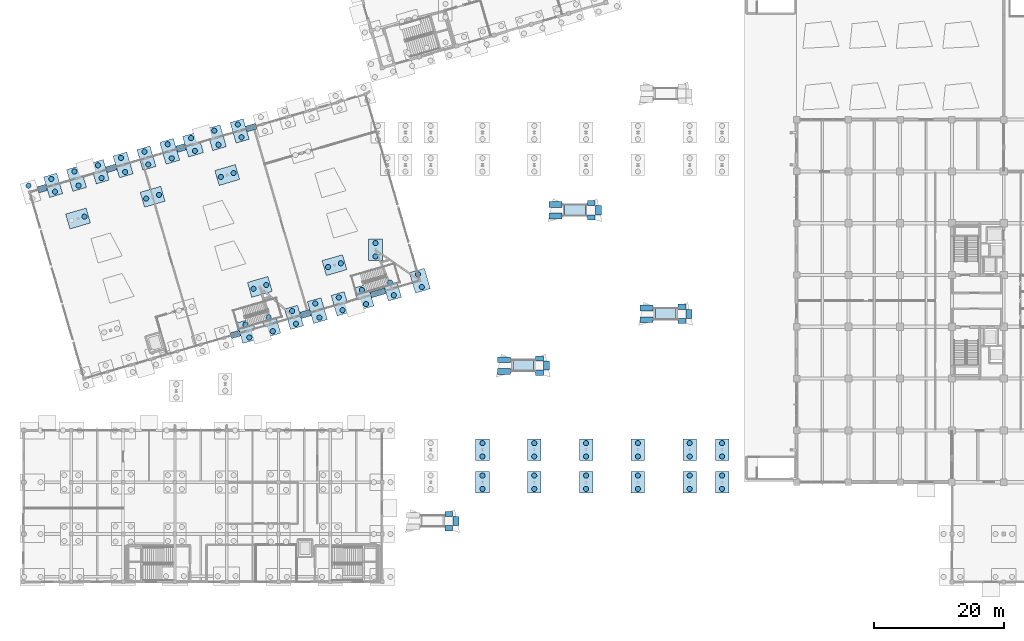
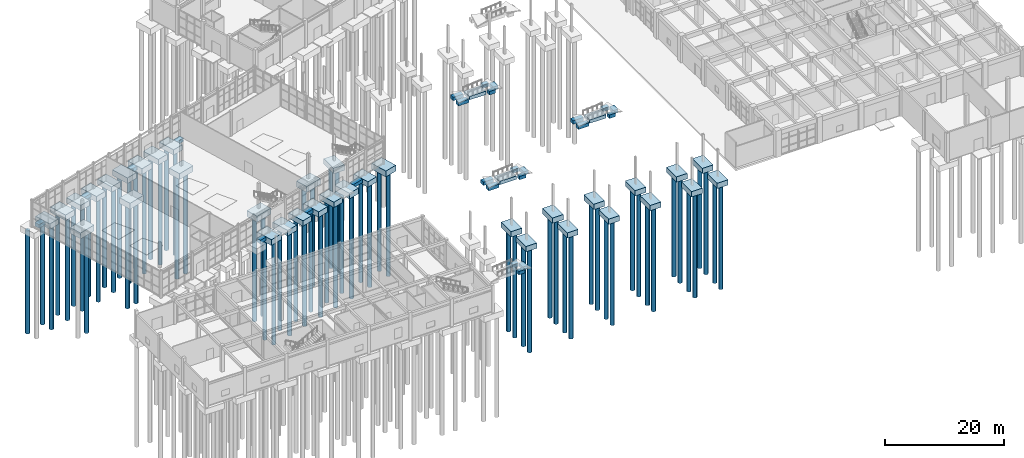
# One storey, part 2 of 90: 70 piles, 63 footings.
"""IFC4 building model written with IfcOpenShell, lengths in metres."""

from ifc_helpers import new_model, si_unit, direction, frame, origin, origin_2d, place, context, subcontext, project, spatial, rectangle, circle, extrude, material, material_profile, profile_set, type_object, element, save


model = new_model("IFC4")

# Units and contexts
model_context = context("Model", 3, precision=1e-05, world=origin(), true_north=direction((0.0, 1.0)))
body_context = subcontext(model_context, "Body", "Model", "MODEL_VIEW")
ifc_project = project(units=[si_unit("LENGTHUNIT", "METRE"), si_unit("AREAUNIT", "SQUARE_METRE"), si_unit("VOLUMEUNIT", "CUBIC_METRE"), si_unit("PLANEANGLEUNIT", "RADIAN"), si_unit("MASSUNIT", "GRAM", prefix="KILO")], contexts=[model_context])

# Site, building, storey
site_placement = place(None, origin())
site = spatial("IfcSite", under=ifc_project, at=site_placement, CompositionType="ELEMENT")
building_placement = place(site_placement, origin())
building = spatial("IfcBuilding", under=site, at=building_placement, Name="Canggui Botanical Conservatory", CompositionType="ELEMENT")
storey_placement = place(building_placement, origin())
storey = spatial("IfcBuildingStorey", under=building, at=storey_placement, Name="L01", CompositionType="ELEMENT", Elevation=0.0)

# Footings
ifc_material = material(Name="Concrete C35", Category="concrete")
footing_type_1 = type_object("IfcFootingType", Name="CAP-CT03", PredefinedType="PILE_CAP", material=ifc_material)
for number, where, z_axis, x_axis, name in (
    (1, (45.199951171875, 49.35009765625, -1.5), (0.0, 0.0, 1.0), (-0.279999921111, 0.960000023009, 0.0), "Multi-Pile Cap CT-040"),
    (2, (71.840087890625, 57.1201171875, -1.5), (0.0, 0.0, 1.0), (-0.279999921111, 0.960000023009, 0.0), "Multi-Pile Cap CT-047"),
    (3, (36.800048828125, 78.14990234375, -1.5), (0.0, 0.0, 1.0), (-0.279999921111, 0.960000023009, 0.0), "Multi-Pile Cap CT-055"),
    (4, (19.0400390625, 66.719970703125, -1.5), (0.0, 0.0, 1.0), (0.960000000041, 0.279999999861, 0.0), "Multi-Pile Cap CT-064"),
    (5, (30.56005859375, 70.080078125, -1.5), (0.0, 0.0, 1.0), (0.960000000041, 0.279999999861, 0.0), "Multi-Pile Cap CT-066"),
    (6, (47.1201171875, 56.159912109375, -1.5), (0.0, 0.0, 1.0), (0.960000000041, 0.279999999861, 0.0), "Multi-Pile Cap CT-067"),
    (7, (42.080078125, 73.43994140625, -1.5), (0.0, 0.0, 1.0), (0.960000000041, 0.279999999861, 0.0), "Multi-Pile Cap CT-068"),
    (8, (58.639892578125, 59.52001953125, -1.5), (0.0, 0.0, 1.0), (0.960000000041, 0.279999999861, 0.0), "Multi-Pile Cap CT-069"),
):
    element("IfcFooting", number, at=place(storey_placement, frame(where, z_axis=z_axis, x_axis=x_axis)), inside=storey, type_object=footing_type_1, Name=name, PredefinedType="PILE_CAP", context=body_context, shape_type="SweptSolid", body=[
        extrude(rectangle(XDim=3.300048828125, YDim=2.39990234375, at=origin_2d()), origin(), (0.0, 0.0, 1.0), 1.199951171875),
    ])
footing_type_2 = type_object("IfcFootingType", Name="CAP-CT05", PredefinedType="PILE_CAP", material=ifc_material)
for number, where, z_axis, x_axis, name in (
    (9, (48.800048828125, 50.39990234375, -1.449951171875), (0.0, 0.0, 1.0), (-0.279999921111, 0.960000023009, 0.0), "Multi-Pile Cap CT-041"),
    (10, (56.0, 52.5, -1.449951171875), (0.0, 0.0, 1.0), (-0.279999921111, 0.960000023009, 0.0), "Multi-Pile Cap CT-043"),
    (11, (63.199951171875, 54.60009765625, -1.449951171875), (0.0, 0.0, 1.0), (-0.279999921111, 0.960000023009, 0.0), "Multi-Pile Cap CT-045"),
    (12, (18.800048828125, 72.89990234375, -1.449951171875), (0.0, 0.0, 1.0), (-0.279999921111, 0.960000023009, 0.0), "Multi-Pile Cap CT-050"),
    (13, (26.0, 75.0, -1.449951171875), (0.0, 0.0, 1.0), (-0.279999921111, 0.960000023009, 0.0), "Multi-Pile Cap CT-052"),
    (14, (33.199951171875, 77.10009765625, -1.449951171875), (0.0, 0.0, 1.0), (-0.279999921111, 0.960000023009, 0.0), "Multi-Pile Cap CT-054"),
    (15, (40.39990234375, 79.199951171875, -1.449951171875), (0.0, 0.0, 1.0), (-0.279999921111, 0.960000023009, 0.0), "Multi-Pile Cap CT-056"),
):
    element("IfcFooting", number, at=place(storey_placement, frame(where, z_axis=z_axis, x_axis=x_axis)), inside=storey, type_object=footing_type_2, Name=name, PredefinedType="PILE_CAP", context=body_context, shape_type="SweptSolid", body=[
        extrude(rectangle(XDim=3.5, YDim=2.199951171875, at=origin_2d()), origin(), (0.0, 0.0, 1.0), 1.14990234375),
    ])
footing_type_3 = type_object("IfcFootingType", Name="CAP-CT06", PredefinedType="PILE_CAP", material=ifc_material)
for number, where, z_axis, x_axis, name in (
    (16, (52.39990234375, 51.449951171875, -1.400146484375), (0.0, 0.0, 1.0), (-0.279999921111, 0.960000023009, 0.0), "Multi-Pile Cap CT-042"),
    (17, (59.60009765625, 53.550048828125, -1.400146484375), (0.0, 0.0, 1.0), (-0.279999921111, 0.960000023009, 0.0), "Multi-Pile Cap CT-044"),
    (18, (67.52001953125, 55.860107421875, -1.400146484375), (0.0, 0.0, 1.0), (-0.279999921111, 0.960000023009, 0.0), "Multi-Pile Cap CT-046"),
    (19, (15.199951171875, 71.85009765625, -1.400146484375), (0.0, 0.0, 1.0), (-0.279999921111, 0.960000023009, 0.0), "Multi-Pile Cap CT-049"),
    (20, (22.39990234375, 73.949951171875, -1.400146484375), (0.0, 0.0, 1.0), (-0.279999921111, 0.960000023009, 0.0), "Multi-Pile Cap CT-051"),
    (21, (29.60009765625, 76.050048828125, -1.400146484375), (0.0, 0.0, 1.0), (-0.279999921111, 0.960000023009, 0.0), "Multi-Pile Cap CT-053"),
    (22, (44.0, 80.25, -1.400146484375), (0.0, 0.0, 1.0), (-0.279999921111, 0.960000023009, 0.0), "Multi-Pile Cap CT-057"),
    (23, (81.5, 26.0, -1.380126953125), (0.0, 0.0, 1.0), (0.0, 1.0, 0.0), "Multi-Pile Cap CT-111"),
    (24, (81.5, 31.0, -1.380126953125), (0.0, 0.0, 1.0), (0.0, 1.0, 0.0), "Multi-Pile Cap CT-112"),
    (25, (89.5, 26.0, -1.380126953125), (0.0, 0.0, 1.0), (0.0, 1.0, 0.0), "Multi-Pile Cap CT-115"),
    (26, (89.5, 31.0, -1.380126953125), (0.0, 0.0, 1.0), (0.0, 1.0, 0.0), "Multi-Pile Cap CT-116"),
    (27, (97.5, 26.0, -1.380126953125), (0.0, 0.0, 1.0), (0.0, 1.0, 0.0), "Multi-Pile Cap CT-119"),
    (28, (97.5, 31.0, -1.380126953125), (0.0, 0.0, 1.0), (0.0, 1.0, 0.0), "Multi-Pile Cap CT-120"),
    (29, (105.5, 26.0, -1.380126953125), (0.0, 0.0, 1.0), (0.0, 1.0, 0.0), "Multi-Pile Cap CT-123"),
    (30, (105.5, 31.0, -1.380126953125), (0.0, 0.0, 1.0), (0.0, 1.0, 0.0), "Multi-Pile Cap CT-124"),
    (31, (113.5, 26.0, -1.380126953125), (0.0, 0.0, 1.0), (0.0, 1.0, 0.0), "Multi-Pile Cap CT-127"),
    (32, (113.5, 31.0, -1.380126953125), (0.0, 0.0, 1.0), (0.0, 1.0, 0.0), "Multi-Pile Cap CT-128"),
    (33, (118.5, 26.0, -1.380126953125), (0.0, 0.0, 1.0), (0.0, 1.0, 0.0), "Multi-Pile Cap CT-131"),
    (34, (118.5, 31.0, -1.380126953125), (0.0, 0.0, 1.0), (0.0, 1.0, 0.0), "Multi-Pile Cap CT-132"),
    (35, (64.97998046875, 61.889892578125, -1.380126953125), (0.0, 0.0, 1.0), (0.0, 1.0, 0.0), "Multi-Pile Cap CT-141"),
):
    element("IfcFooting", number, at=place(storey_placement, frame(where, z_axis=z_axis, x_axis=x_axis)), inside=storey, type_object=footing_type_3, Name=name, PredefinedType="PILE_CAP", context=body_context, shape_type="SweptSolid", body=[
        extrude(rectangle(XDim=3.300048828125, YDim=2.10009765625, at=origin_2d()), origin(), (0.0, 0.0, 1.0), 1.10009765625),
    ])

# Piles
ifc_material_profile = material_profile(ifc_material, circle(Radius=0.39990234375, at=origin_2d()), Name="PILE D800")
ifc_profile_set = profile_set([ifc_material_profile], Name="Concrete C35")
pile_type = type_object("IfcPileType", Name="PILE-ZH2", PredefinedType="BORED", material=ifc_profile_set)
for number, where, z_axis, x_axis, name in (
    (36, (45.48828125, 48.361083984375, -1.39990234375), (0.0, 0.0, -1.0), (1.0, 0.0, 0.0), "Bored Pile ZH-CAP-221"),
    (37, (44.91162109375, 50.3388671875, -1.39990234375), (0.0, 0.0, -1.0), (1.0, 0.0, 0.0), "Bored Pile ZH-CAP-222"),
):
    element("IfcPile", number, at=place(storey_placement, frame(where, z_axis=z_axis, x_axis=x_axis)), inside=storey, type_object=pile_type, Name=name, PredefinedType="BORED", context=body_context, shape_type="SweptSolid", body=[
        extrude(circle(Radius=0.39990234375, at=origin_2d()), origin(), (0.0, 0.0, 1.0), 21.10009765625),
    ])
for number, where, z_axis, x_axis, name in (
    (38, (49.116455078125, 49.315185546875, -1.35009765625), (0.0, 0.0, -1.0), (1.0, 0.0, 0.0), "Bored Pile ZH-CAP-223"),
    (39, (48.483642578125, 51.48486328125, -1.35009765625), (0.0, 0.0, -1.0), (1.0, 0.0, 0.0), "Bored Pile ZH-CAP-224"),
):
    element("IfcPile", number, at=place(storey_placement, frame(where, z_axis=z_axis, x_axis=x_axis)), inside=storey, type_object=pile_type, Name=name, PredefinedType="BORED", context=body_context, shape_type="SweptSolid", body=[
        extrude(circle(Radius=0.39990234375, at=origin_2d()), origin(), (0.0, 0.0, 1.0), 21.14990234375),
    ])
for number, where, z_axis, x_axis, name in (
    (40, (52.6884765625, 50.461181640625, -1.300048828125), (0.0, 0.0, -1.0), (1.0, 0.0, 0.0), "Bored Pile ZH-CAP-225"),
    (41, (52.111572265625, 52.438720703125, -1.300048828125), (0.0, 0.0, -1.0), (1.0, 0.0, 0.0), "Bored Pile ZH-CAP-226"),
):
    element("IfcPile", number, at=place(storey_placement, frame(where, z_axis=z_axis, x_axis=x_axis)), inside=storey, type_object=pile_type, Name=name, PredefinedType="BORED", context=body_context, shape_type="SweptSolid", body=[
        extrude(circle(Radius=0.39990234375, at=origin_2d()), origin(), (0.0, 0.0, 1.0), 21.199951171875),
    ])
for number, where, z_axis, x_axis, name in (
    (42, (56.31640625, 51.415283203125, -1.35009765625), (0.0, 0.0, -1.0), (1.0, 0.0, 0.0), "Bored Pile ZH-CAP-227"),
    (43, (55.68359375, 53.584716796875, -1.35009765625), (0.0, 0.0, -1.0), (1.0, 0.0, 0.0), "Bored Pile ZH-CAP-228"),
):
    element("IfcPile", number, at=place(storey_placement, frame(where, z_axis=z_axis, x_axis=x_axis)), inside=storey, type_object=pile_type, Name=name, PredefinedType="BORED", context=body_context, shape_type="SweptSolid", body=[
        extrude(circle(Radius=0.39990234375, at=origin_2d()), origin(), (0.0, 0.0, 1.0), 21.14990234375),
    ])
for number, where, z_axis, x_axis, name in (
    (44, (59.888427734375, 52.561279296875, -1.300048828125), (0.0, 0.0, -1.0), (1.0, 0.0, 0.0), "Bored Pile ZH-CAP-229"),
    (45, (59.3115234375, 54.538818359375, -1.300048828125), (0.0, 0.0, -1.0), (1.0, 0.0, 0.0), "Bored Pile ZH-CAP-230"),
):
    element("IfcPile", number, at=place(storey_placement, frame(where, z_axis=z_axis, x_axis=x_axis)), inside=storey, type_object=pile_type, Name=name, PredefinedType="BORED", context=body_context, shape_type="SweptSolid", body=[
        extrude(circle(Radius=0.39990234375, at=origin_2d()), origin(), (0.0, 0.0, 1.0), 21.199951171875),
    ])
for number, where, z_axis, x_axis, name in (
    (46, (63.516357421875, 53.51513671875, -1.35009765625), (0.0, 0.0, -1.0), (1.0, 0.0, 0.0), "Bored Pile ZH-CAP-231"),
    (47, (62.883544921875, 55.684814453125, -1.35009765625), (0.0, 0.0, -1.0), (1.0, 0.0, 0.0), "Bored Pile ZH-CAP-232"),
):
    element("IfcPile", number, at=place(storey_placement, frame(where, z_axis=z_axis, x_axis=x_axis)), inside=storey, type_object=pile_type, Name=name, PredefinedType="BORED", context=body_context, shape_type="SweptSolid", body=[
        extrude(circle(Radius=0.39990234375, at=origin_2d()), origin(), (0.0, 0.0, 1.0), 21.14990234375),
    ])
for number, where, z_axis, x_axis, name in (
    (48, (67.808349609375, 54.87109375, -1.300048828125), (0.0, 0.0, -1.0), (1.0, 0.0, 0.0), "Bored Pile ZH-CAP-233"),
    (49, (67.231689453125, 56.848876953125, -1.300048828125), (0.0, 0.0, -1.0), (1.0, 0.0, 0.0), "Bored Pile ZH-CAP-234"),
):
    element("IfcPile", number, at=place(storey_placement, frame(where, z_axis=z_axis, x_axis=x_axis)), inside=storey, type_object=pile_type, Name=name, PredefinedType="BORED", context=body_context, shape_type="SweptSolid", body=[
        extrude(circle(Radius=0.39990234375, at=origin_2d()), origin(), (0.0, 0.0, 1.0), 21.199951171875),
    ])
for number, where, z_axis, x_axis, name in (
    (50, (72.12841796875, 56.131103515625, -1.39990234375), (0.0, 0.0, -1.0), (1.0, 0.0, 0.0), "Bored Pile ZH-CAP-235"),
    (51, (71.551513671875, 58.10888671875, -1.39990234375), (0.0, 0.0, -1.0), (1.0, 0.0, 0.0), "Bored Pile ZH-CAP-236"),
    (52, (11.405517578125, 71.788818359375, -1.39990234375), (0.0, 0.0, -1.0), (1.0, 0.0, 0.0), "Bored Pile ZH-CAP-238"),
):
    element("IfcPile", number, at=place(storey_placement, frame(where, z_axis=z_axis, x_axis=x_axis)), inside=storey, type_object=pile_type, Name=name, PredefinedType="BORED", context=body_context, shape_type="SweptSolid", body=[
        extrude(circle(Radius=0.39990234375, at=origin_2d()), origin(), (0.0, 0.0, 1.0), 21.10009765625),
    ])
for number, where, z_axis, x_axis, name in (
    (53, (15.48828125, 70.861083984375, -1.300048828125), (0.0, 0.0, -1.0), (1.0, 0.0, 0.0), "Bored Pile ZH-CAP-239"),
    (54, (14.91162109375, 72.8388671875, -1.300048828125), (0.0, 0.0, -1.0), (1.0, 0.0, 0.0), "Bored Pile ZH-CAP-240"),
):
    element("IfcPile", number, at=place(storey_placement, frame(where, z_axis=z_axis, x_axis=x_axis)), inside=storey, type_object=pile_type, Name=name, PredefinedType="BORED", context=body_context, shape_type="SweptSolid", body=[
        extrude(circle(Radius=0.39990234375, at=origin_2d()), origin(), (0.0, 0.0, 1.0), 21.199951171875),
    ])
for number, where, z_axis, x_axis, name in (
    (55, (19.116455078125, 71.815185546875, -1.35009765625), (0.0, 0.0, -1.0), (1.0, 0.0, 0.0), "Bored Pile ZH-CAP-241"),
    (56, (18.483642578125, 73.98486328125, -1.35009765625), (0.0, 0.0, -1.0), (1.0, 0.0, 0.0), "Bored Pile ZH-CAP-242"),
):
    element("IfcPile", number, at=place(storey_placement, frame(where, z_axis=z_axis, x_axis=x_axis)), inside=storey, type_object=pile_type, Name=name, PredefinedType="BORED", context=body_context, shape_type="SweptSolid", body=[
        extrude(circle(Radius=0.39990234375, at=origin_2d()), origin(), (0.0, 0.0, 1.0), 21.14990234375),
    ])
for number, where, z_axis, x_axis, name in (
    (57, (22.6884765625, 72.961181640625, -1.300048828125), (0.0, 0.0, -1.0), (1.0, 0.0, 0.0), "Bored Pile ZH-CAP-243"),
    (58, (22.111572265625, 74.938720703125, -1.300048828125), (0.0, 0.0, -1.0), (1.0, 0.0, 0.0), "Bored Pile ZH-CAP-244"),
):
    element("IfcPile", number, at=place(storey_placement, frame(where, z_axis=z_axis, x_axis=x_axis)), inside=storey, type_object=pile_type, Name=name, PredefinedType="BORED", context=body_context, shape_type="SweptSolid", body=[
        extrude(circle(Radius=0.39990234375, at=origin_2d()), origin(), (0.0, 0.0, 1.0), 21.199951171875),
    ])
for number, where, z_axis, x_axis, name in (
    (59, (26.31640625, 73.915283203125, -1.35009765625), (0.0, 0.0, -1.0), (1.0, 0.0, 0.0), "Bored Pile ZH-CAP-245"),
    (60, (25.68359375, 76.084716796875, -1.35009765625), (0.0, 0.0, -1.0), (1.0, 0.0, 0.0), "Bored Pile ZH-CAP-246"),
):
    element("IfcPile", number, at=place(storey_placement, frame(where, z_axis=z_axis, x_axis=x_axis)), inside=storey, type_object=pile_type, Name=name, PredefinedType="BORED", context=body_context, shape_type="SweptSolid", body=[
        extrude(circle(Radius=0.39990234375, at=origin_2d()), origin(), (0.0, 0.0, 1.0), 21.14990234375),
    ])
for number, where, z_axis, x_axis, name in (
    (61, (29.888427734375, 75.061279296875, -1.300048828125), (0.0, 0.0, -1.0), (1.0, 0.0, 0.0), "Bored Pile ZH-CAP-247"),
    (62, (29.3115234375, 77.038818359375, -1.300048828125), (0.0, 0.0, -1.0), (1.0, 0.0, 0.0), "Bored Pile ZH-CAP-248"),
):
    element("IfcPile", number, at=place(storey_placement, frame(where, z_axis=z_axis, x_axis=x_axis)), inside=storey, type_object=pile_type, Name=name, PredefinedType="BORED", context=body_context, shape_type="SweptSolid", body=[
        extrude(circle(Radius=0.39990234375, at=origin_2d()), origin(), (0.0, 0.0, 1.0), 21.199951171875),
    ])
for number, where, z_axis, x_axis, name in (
    (63, (33.516357421875, 76.01513671875, -1.35009765625), (0.0, 0.0, -1.0), (1.0, 0.0, 0.0), "Bored Pile ZH-CAP-249"),
    (64, (32.883544921875, 78.184814453125, -1.35009765625), (0.0, 0.0, -1.0), (1.0, 0.0, 0.0), "Bored Pile ZH-CAP-250"),
):
    element("IfcPile", number, at=place(storey_placement, frame(where, z_axis=z_axis, x_axis=x_axis)), inside=storey, type_object=pile_type, Name=name, PredefinedType="BORED", context=body_context, shape_type="SweptSolid", body=[
        extrude(circle(Radius=0.39990234375, at=origin_2d()), origin(), (0.0, 0.0, 1.0), 21.14990234375),
    ])
for number, where, z_axis, x_axis, name in (
    (65, (37.08837890625, 77.1611328125, -1.39990234375), (0.0, 0.0, -1.0), (1.0, 0.0, 0.0), "Bored Pile ZH-CAP-251"),
    (66, (36.51171875, 79.138916015625, -1.39990234375), (0.0, 0.0, -1.0), (1.0, 0.0, 0.0), "Bored Pile ZH-CAP-252"),
):
    element("IfcPile", number, at=place(storey_placement, frame(where, z_axis=z_axis, x_axis=x_axis)), inside=storey, type_object=pile_type, Name=name, PredefinedType="BORED", context=body_context, shape_type="SweptSolid", body=[
        extrude(circle(Radius=0.39990234375, at=origin_2d()), origin(), (0.0, 0.0, 1.0), 21.10009765625),
    ])
for number, where, z_axis, x_axis, name in (
    (67, (40.71630859375, 78.115234375, -1.35009765625), (0.0, 0.0, -1.0), (1.0, 0.0, 0.0), "Bored Pile ZH-CAP-253"),
    (68, (40.08349609375, 80.284912109375, -1.35009765625), (0.0, 0.0, -1.0), (1.0, 0.0, 0.0), "Bored Pile ZH-CAP-254"),
):
    element("IfcPile", number, at=place(storey_placement, frame(where, z_axis=z_axis, x_axis=x_axis)), inside=storey, type_object=pile_type, Name=name, PredefinedType="BORED", context=body_context, shape_type="SweptSolid", body=[
        extrude(circle(Radius=0.39990234375, at=origin_2d()), origin(), (0.0, 0.0, 1.0), 21.14990234375),
    ])
for number, where, z_axis, x_axis, name in (
    (69, (44.288330078125, 79.26123046875, -1.300048828125), (0.0, 0.0, -1.0), (1.0, 0.0, 0.0), "Bored Pile ZH-CAP-255"),
    (70, (43.711669921875, 81.23876953125, -1.300048828125), (0.0, 0.0, -1.0), (1.0, 0.0, 0.0), "Bored Pile ZH-CAP-256"),
):
    element("IfcPile", number, at=place(storey_placement, frame(where, z_axis=z_axis, x_axis=x_axis)), inside=storey, type_object=pile_type, Name=name, PredefinedType="BORED", context=body_context, shape_type="SweptSolid", body=[
        extrude(circle(Radius=0.39990234375, at=origin_2d()), origin(), (0.0, 0.0, 1.0), 21.199951171875),
    ])
for number, where, z_axis, x_axis, name in (
    (71, (20.02880859375, 67.00830078125, -1.39990234375), (0.0, 0.0, -1.0), (1.0, 0.0, 0.0), "Bored Pile ZH-CAP-270"),
    (72, (29.5712890625, 69.79150390625, -1.39990234375), (0.0, 0.0, -1.0), (1.0, 0.0, 0.0), "Bored Pile ZH-CAP-273"),
    (73, (31.548828125, 70.368408203125, -1.39990234375), (0.0, 0.0, -1.0), (1.0, 0.0, 0.0), "Bored Pile ZH-CAP-274"),
    (74, (46.131103515625, 55.87158203125, -1.39990234375), (0.0, 0.0, -1.0), (1.0, 0.0, 0.0), "Bored Pile ZH-CAP-275"),
    (75, (48.10888671875, 56.448486328125, -1.39990234375), (0.0, 0.0, -1.0), (1.0, 0.0, 0.0), "Bored Pile ZH-CAP-276"),
    (76, (41.09130859375, 73.151611328125, -1.39990234375), (0.0, 0.0, -1.0), (1.0, 0.0, 0.0), "Bored Pile ZH-CAP-277"),
    (77, (43.06884765625, 73.728515625, -1.39990234375), (0.0, 0.0, -1.0), (1.0, 0.0, 0.0), "Bored Pile ZH-CAP-278"),
    (78, (57.651123046875, 59.231689453125, -1.39990234375), (0.0, 0.0, -1.0), (1.0, 0.0, 0.0), "Bored Pile ZH-CAP-279"),
    (79, (59.62890625, 59.808349609375, -1.39990234375), (0.0, 0.0, -1.0), (1.0, 0.0, 0.0), "Bored Pile ZH-CAP-280"),
):
    element("IfcPile", number, at=place(storey_placement, frame(where, z_axis=z_axis, x_axis=x_axis)), inside=storey, type_object=pile_type, Name=name, PredefinedType="BORED", context=body_context, shape_type="SweptSolid", body=[
        extrude(circle(Radius=0.39990234375, at=origin_2d()), origin(), (0.0, 0.0, 1.0), 21.10009765625),
    ])
for number, where, z_axis, x_axis, name in (
    (80, (81.5, 24.969970703125, -1.280029296875), (0.0, 0.0, -1.0), (1.0, 0.0, 0.0), "Bored Pile ZH-CAP-391"),
    (81, (81.5, 27.030029296875, -1.280029296875), (0.0, 0.0, -1.0), (1.0, 0.0, 0.0), "Bored Pile ZH-CAP-392"),
    (82, (81.5, 29.969970703125, -1.280029296875), (0.0, 0.0, -1.0), (1.0, 0.0, 0.0), "Bored Pile ZH-CAP-393"),
    (83, (81.5, 32.030029296875, -1.280029296875), (0.0, 0.0, -1.0), (1.0, 0.0, 0.0), "Bored Pile ZH-CAP-394"),
    (84, (89.5, 24.969970703125, -1.280029296875), (0.0, 0.0, -1.0), (1.0, 0.0, 0.0), "Bored Pile ZH-CAP-399"),
    (85, (89.5, 27.030029296875, -1.280029296875), (0.0, 0.0, -1.0), (1.0, 0.0, 0.0), "Bored Pile ZH-CAP-400"),
    (86, (89.5, 29.969970703125, -1.280029296875), (0.0, 0.0, -1.0), (1.0, 0.0, 0.0), "Bored Pile ZH-CAP-401"),
    (87, (89.5, 32.030029296875, -1.280029296875), (0.0, 0.0, -1.0), (1.0, 0.0, 0.0), "Bored Pile ZH-CAP-402"),
    (88, (97.5, 24.969970703125, -1.280029296875), (0.0, 0.0, -1.0), (1.0, 0.0, 0.0), "Bored Pile ZH-CAP-407"),
    (89, (97.5, 27.030029296875, -1.280029296875), (0.0, 0.0, -1.0), (1.0, 0.0, 0.0), "Bored Pile ZH-CAP-408"),
    (90, (97.5, 29.969970703125, -1.280029296875), (0.0, 0.0, -1.0), (1.0, 0.0, 0.0), "Bored Pile ZH-CAP-409"),
    (91, (97.5, 32.030029296875, -1.280029296875), (0.0, 0.0, -1.0), (1.0, 0.0, 0.0), "Bored Pile ZH-CAP-410"),
    (92, (105.5, 24.969970703125, -1.280029296875), (0.0, 0.0, -1.0), (1.0, 0.0, 0.0), "Bored Pile ZH-CAP-415"),
    (93, (105.5, 27.030029296875, -1.280029296875), (0.0, 0.0, -1.0), (1.0, 0.0, 0.0), "Bored Pile ZH-CAP-416"),
    (94, (105.5, 29.969970703125, -1.280029296875), (0.0, 0.0, -1.0), (1.0, 0.0, 0.0), "Bored Pile ZH-CAP-417"),
    (95, (105.5, 32.030029296875, -1.280029296875), (0.0, 0.0, -1.0), (1.0, 0.0, 0.0), "Bored Pile ZH-CAP-418"),
    (96, (113.5, 24.969970703125, -1.280029296875), (0.0, 0.0, -1.0), (1.0, 0.0, 0.0), "Bored Pile ZH-CAP-423"),
    (97, (113.5, 27.030029296875, -1.280029296875), (0.0, 0.0, -1.0), (1.0, 0.0, 0.0), "Bored Pile ZH-CAP-424"),
    (98, (113.5, 29.969970703125, -1.280029296875), (0.0, 0.0, -1.0), (1.0, 0.0, 0.0), "Bored Pile ZH-CAP-425"),
    (99, (113.5, 32.030029296875, -1.280029296875), (0.0, 0.0, -1.0), (1.0, 0.0, 0.0), "Bored Pile ZH-CAP-426"),
    (100, (118.5, 24.969970703125, -1.280029296875), (0.0, 0.0, -1.0), (1.0, 0.0, 0.0), "Bored Pile ZH-CAP-431"),
    (101, (118.5, 27.030029296875, -1.280029296875), (0.0, 0.0, -1.0), (1.0, 0.0, 0.0), "Bored Pile ZH-CAP-432"),
    (102, (118.5, 29.969970703125, -1.280029296875), (0.0, 0.0, -1.0), (1.0, 0.0, 0.0), "Bored Pile ZH-CAP-433"),
    (103, (118.5, 32.030029296875, -1.280029296875), (0.0, 0.0, -1.0), (1.0, 0.0, 0.0), "Bored Pile ZH-CAP-434"),
    (104, (64.97998046875, 60.860107421875, -1.280029296875), (0.0, 0.0, -1.0), (1.0, 0.0, 0.0), "Bored Pile ZH-CAP-451"),
    (105, (64.97998046875, 62.919921875, -1.280029296875), (0.0, 0.0, -1.0), (1.0, 0.0, 0.0), "Bored Pile ZH-CAP-452"),
):
    element("IfcPile", number, at=place(storey_placement, frame(where, z_axis=z_axis, x_axis=x_axis)), inside=storey, type_object=pile_type, Name=name, PredefinedType="BORED", context=body_context, shape_type="SweptSolid", body=[
        extrude(circle(Radius=0.39990234375, at=origin_2d()), origin(), (0.0, 0.0, 1.0), 21.219970703125),
    ])

# Footings
footing_type_4 = type_object("IfcFootingType", Name="SF-01", PredefinedType="STRIP_FOOTING", material=ifc_material)
footing_1_placement = place(storey_placement, frame((43.35205078125, 48.81103515625, -1.0), z_axis=(0.0, 0.0, 1.0), x_axis=(0.960000000041, 0.279999999861, 0.0)))
element("IfcFooting", 106, at=footing_1_placement, inside=storey, type_object=footing_type_4, Name="Perimeter Strip Footing SF-003", PredefinedType="STRIP_FOOTING", context=body_context, shape_type="SweptSolid", body=[
    extrude(rectangle(XDim=1.409912109375, YDim=0.89990234375, at=origin_2d()), origin(), (0.0, 0.0, 1.0), 0.699951171875),
])
footing_2_placement = place(storey_placement, frame((65.384033203125, 55.237060546875, -1.0), z_axis=(0.0, 0.0, 1.0), x_axis=(0.960000000041, 0.279999999861, 0.0)))
element("IfcFooting", 107, at=footing_2_placement, inside=storey, type_object=footing_type_4, Name="Perimeter Strip Footing SF-005", PredefinedType="STRIP_FOOTING", context=body_context, shape_type="SweptSolid", body=[
    extrude(rectangle(XDim=2.31005859375, YDim=0.89990234375, at=origin_2d()), origin(), (0.0, 0.0, 1.0), 0.699951171875),
])
for number, where, z_axis, x_axis, name in (
    (108, (24.176025390625, 74.468017578125, -1.0), (0.0, 0.0, 1.0), (0.960000000041, 0.279999999861, 0.0), "Perimeter Strip Footing SF-007"),
    (109, (45.77587890625, 80.76806640625, -1.0), (0.0, 0.0, 1.0), (0.960000000041, 0.279999999861, 0.0), "Perimeter Strip Footing SF-009"),
):
    element("IfcFooting", number, at=place(storey_placement, frame(where, z_axis=z_axis, x_axis=x_axis)), inside=storey, type_object=footing_type_4, Name=name, PredefinedType="STRIP_FOOTING", context=body_context, shape_type="SweptSolid", body=[
        extrude(rectangle(XDim=1.56005859375, YDim=0.89990234375, at=origin_2d()), origin(), (0.0, 0.0, 1.0), 0.699951171875),
    ])
for number, where, z_axis, x_axis, name in (
    (110, (76.300048828125, 18.89990234375, -0.8798828125), (0.0, 0.0, 1.0), (1.0, 0.0, 0.0), "PR-01 Upper South Strip Footing"),
    (111, (76.300048828125, 21.10009765625, -0.8798828125), (0.0, 0.0, 1.0), (1.0, 0.0, 0.0), "PR-01 Upper North Strip Footing"),
):
    element("IfcFooting", number, at=place(storey_placement, frame(where, z_axis=z_axis, x_axis=x_axis)), inside=storey, type_object=footing_type_4, Name=name, PredefinedType="STRIP_FOOTING", context=body_context, shape_type="SweptSolid", body=[
        extrude(rectangle(XDim=1.199951171875, YDim=0.800048828125, at=origin_2d()), origin(), (0.0, 0.0, 1.0), 0.699951171875),
    ])
footing_3_placement = place(storey_placement, frame((77.39990234375, 20.0, -0.8798828125), z_axis=(0.0, 0.0, 1.0), x_axis=(1.0, 0.0, 0.0)))
element("IfcFooting", 112, at=footing_3_placement, inside=storey, type_object=footing_type_4, Name="PR-01 Upper East Strip Footing", PredefinedType="STRIP_FOOTING", context=body_context, shape_type="SweptSolid", body=[
    extrude(rectangle(XDim=0.89990234375, YDim=1.39990234375, at=origin_2d()), origin(), (0.0, 0.0, 1.0), 0.699951171875),
])
for number, where, z_axis, x_axis, name in (
    (113, (84.800048828125, 43.10009765625, -1.18017578125), (0.0, 0.0, 1.0), (1.0, 0.0, 0.0), "PR-02 Lower South Strip Footing"),
    (114, (84.800048828125, 44.89990234375, -1.18017578125), (0.0, 0.0, 1.0), (1.0, 0.0, 0.0), "PR-02 Lower North Strip Footing"),
):
    element("IfcFooting", number, at=place(storey_placement, frame(where, z_axis=z_axis, x_axis=x_axis)), inside=storey, type_object=footing_type_4, Name=name, PredefinedType="STRIP_FOOTING", context=body_context, shape_type="SweptSolid", body=[
        extrude(rectangle(XDim=2.0, YDim=0.89990234375, at=origin_2d()), origin(), (0.0, 0.0, 1.0), 0.699951171875),
    ])
footing_4_placement = place(storey_placement, frame((87.800048828125, 44.0, -1.02978515625), z_axis=(0.0, 0.0, 1.0), x_axis=(1.0, 0.0, 0.0)))
element("IfcFooting", 115, at=footing_4_placement, inside=storey, type_object=footing_type_4, Name="PR-02 Ramp Flight Strip Footing", PredefinedType="STRIP_FOOTING", context=body_context, shape_type="SweptSolid", body=[
    extrude(rectangle(XDim=3.199951171875, YDim=1.800048828125, at=origin_2d()), origin(), (0.0, 0.0, 1.0), 0.699951171875),
])
for number, where, z_axis, x_axis, name in (
    (116, (90.300048828125, 42.89990234375, -0.8798828125), (0.0, 0.0, 1.0), (1.0, 0.0, 0.0), "PR-02 Upper South Strip Footing"),
    (117, (90.300048828125, 45.10009765625, -0.8798828125), (0.0, 0.0, 1.0), (1.0, 0.0, 0.0), "PR-02 Upper North Strip Footing"),
):
    element("IfcFooting", number, at=place(storey_placement, frame(where, z_axis=z_axis, x_axis=x_axis)), inside=storey, type_object=footing_type_4, Name=name, PredefinedType="STRIP_FOOTING", context=body_context, shape_type="SweptSolid", body=[
        extrude(rectangle(XDim=1.199951171875, YDim=0.800048828125, at=origin_2d()), origin(), (0.0, 0.0, 1.0), 0.699951171875),
    ])
footing_5_placement = place(storey_placement, frame((91.39990234375, 44.0, -0.8798828125), z_axis=(0.0, 0.0, 1.0), x_axis=(1.0, 0.0, 0.0)))
element("IfcFooting", 118, at=footing_5_placement, inside=storey, type_object=footing_type_4, Name="PR-02 Upper East Strip Footing", PredefinedType="STRIP_FOOTING", context=body_context, shape_type="SweptSolid", body=[
    extrude(rectangle(XDim=0.89990234375, YDim=1.39990234375, at=origin_2d()), origin(), (0.0, 0.0, 1.0), 0.699951171875),
])
for number, where, z_axis, x_axis, name in (
    (119, (106.800048828125, 51.10009765625, -1.18017578125), (0.0, 0.0, 1.0), (1.0, 0.0, 0.0), "PR-03 Lower South Strip Footing"),
    (120, (106.800048828125, 52.89990234375, -1.18017578125), (0.0, 0.0, 1.0), (1.0, 0.0, 0.0), "PR-03 Lower North Strip Footing"),
):
    element("IfcFooting", number, at=place(storey_placement, frame(where, z_axis=z_axis, x_axis=x_axis)), inside=storey, type_object=footing_type_4, Name=name, PredefinedType="STRIP_FOOTING", context=body_context, shape_type="SweptSolid", body=[
        extrude(rectangle(XDim=2.0, YDim=0.89990234375, at=origin_2d()), origin(), (0.0, 0.0, 1.0), 0.699951171875),
    ])
footing_6_placement = place(storey_placement, frame((109.800048828125, 52.0, -1.02978515625), z_axis=(0.0, 0.0, 1.0), x_axis=(1.0, 0.0, 0.0)))
element("IfcFooting", 121, at=footing_6_placement, inside=storey, type_object=footing_type_4, Name="PR-03 Ramp Flight Strip Footing", PredefinedType="STRIP_FOOTING", context=body_context, shape_type="SweptSolid", body=[
    extrude(rectangle(XDim=3.199951171875, YDim=1.800048828125, at=origin_2d()), origin(), (0.0, 0.0, 1.0), 0.699951171875),
])
for number, where, z_axis, x_axis, name in (
    (122, (112.300048828125, 50.89990234375, -0.8798828125), (0.0, 0.0, 1.0), (1.0, 0.0, 0.0), "PR-03 Upper South Strip Footing"),
    (123, (112.300048828125, 53.10009765625, -0.8798828125), (0.0, 0.0, 1.0), (1.0, 0.0, 0.0), "PR-03 Upper North Strip Footing"),
):
    element("IfcFooting", number, at=place(storey_placement, frame(where, z_axis=z_axis, x_axis=x_axis)), inside=storey, type_object=footing_type_4, Name=name, PredefinedType="STRIP_FOOTING", context=body_context, shape_type="SweptSolid", body=[
        extrude(rectangle(XDim=1.199951171875, YDim=0.800048828125, at=origin_2d()), origin(), (0.0, 0.0, 1.0), 0.699951171875),
    ])
footing_7_placement = place(storey_placement, frame((113.39990234375, 52.0, -0.8798828125), z_axis=(0.0, 0.0, 1.0), x_axis=(1.0, 0.0, 0.0)))
element("IfcFooting", 124, at=footing_7_placement, inside=storey, type_object=footing_type_4, Name="PR-03 Upper East Strip Footing", PredefinedType="STRIP_FOOTING", context=body_context, shape_type="SweptSolid", body=[
    extrude(rectangle(XDim=0.89990234375, YDim=1.39990234375, at=origin_2d()), origin(), (0.0, 0.0, 1.0), 0.699951171875),
])
for number, where, z_axis, x_axis, name in (
    (125, (92.800048828125, 67.10009765625, -1.18017578125), (0.0, 0.0, 1.0), (1.0, 0.0, 0.0), "PR-05 Lower South Strip Footing"),
    (126, (92.800048828125, 68.89990234375, -1.18017578125), (0.0, 0.0, 1.0), (1.0, 0.0, 0.0), "PR-05 Lower North Strip Footing"),
):
    element("IfcFooting", number, at=place(storey_placement, frame(where, z_axis=z_axis, x_axis=x_axis)), inside=storey, type_object=footing_type_4, Name=name, PredefinedType="STRIP_FOOTING", context=body_context, shape_type="SweptSolid", body=[
        extrude(rectangle(XDim=2.0, YDim=0.89990234375, at=origin_2d()), origin(), (0.0, 0.0, 1.0), 0.699951171875),
    ])
footing_8_placement = place(storey_placement, frame((95.800048828125, 68.0, -1.02978515625), z_axis=(0.0, 0.0, 1.0), x_axis=(1.0, 0.0, 0.0)))
element("IfcFooting", 127, at=footing_8_placement, inside=storey, type_object=footing_type_4, Name="PR-05 Ramp Flight Strip Footing", PredefinedType="STRIP_FOOTING", context=body_context, shape_type="SweptSolid", body=[
    extrude(rectangle(XDim=3.199951171875, YDim=1.800048828125, at=origin_2d()), origin(), (0.0, 0.0, 1.0), 0.699951171875),
])
for number, where, z_axis, x_axis, name in (
    (128, (98.300048828125, 66.89990234375, -0.8798828125), (0.0, 0.0, 1.0), (1.0, 0.0, 0.0), "PR-05 Upper South Strip Footing"),
    (129, (98.300048828125, 69.10009765625, -0.8798828125), (0.0, 0.0, 1.0), (1.0, 0.0, 0.0), "PR-05 Upper North Strip Footing"),
):
    element("IfcFooting", number, at=place(storey_placement, frame(where, z_axis=z_axis, x_axis=x_axis)), inside=storey, type_object=footing_type_4, Name=name, PredefinedType="STRIP_FOOTING", context=body_context, shape_type="SweptSolid", body=[
        extrude(rectangle(XDim=1.199951171875, YDim=0.800048828125, at=origin_2d()), origin(), (0.0, 0.0, 1.0), 0.699951171875),
    ])
footing_9_placement = place(storey_placement, frame((99.39990234375, 68.0, -0.8798828125), z_axis=(0.0, 0.0, 1.0), x_axis=(1.0, 0.0, 0.0)))
element("IfcFooting", 130, at=footing_9_placement, inside=storey, type_object=footing_type_4, Name="PR-05 Upper East Strip Footing", PredefinedType="STRIP_FOOTING", context=body_context, shape_type="SweptSolid", body=[
    extrude(rectangle(XDim=0.89990234375, YDim=1.39990234375, at=origin_2d()), origin(), (0.0, 0.0, 1.0), 0.699951171875),
])
footing_type_5 = type_object("IfcFootingType", Name="SF-02", PredefinedType="STRIP_FOOTING", material=ifc_material)
footing_10_placement = place(storey_placement, frame((54.176025390625, 51.968017578125, -1.050048828125), z_axis=(0.0, 0.0, 1.0), x_axis=(0.960000000041, 0.279999999861, 0.0)))
element("IfcFooting", 131, at=footing_10_placement, inside=storey, type_object=footing_type_5, Name="Perimeter Strip Footing SF-004", PredefinedType="STRIP_FOOTING", context=body_context, shape_type="SweptSolid", body=[
    extrude(rectangle(XDim=1.56005859375, YDim=1.0, at=origin_2d()), origin(), (0.0, 0.0, 1.0), 0.75),
])
footing_11_placement = place(storey_placement, frame((13.51904296875, 71.345947265625, -1.050048828125), z_axis=(0.0, 0.0, 1.0), x_axis=(0.960000000041, 0.279999999861, 0.0)))
element("IfcFooting", 132, at=footing_11_placement, inside=storey, type_object=footing_type_5, Name="Perimeter Strip Footing SF-006", PredefinedType="STRIP_FOOTING", context=body_context, shape_type="SweptSolid", body=[
    extrude(rectangle(XDim=1.369873046875, YDim=1.0, at=origin_2d()), origin(), (0.0, 0.0, 1.0), 0.75),
])
footing_12_placement = place(storey_placement, frame((34.951904296875, 77.611083984375, -1.050048828125), z_axis=(0.0, 0.0, 1.0), x_axis=(0.960000000041, 0.279999999861, 0.0)))
element("IfcFooting", 133, at=footing_12_placement, inside=storey, type_object=footing_type_5, Name="Perimeter Strip Footing SF-008", PredefinedType="STRIP_FOOTING", context=body_context, shape_type="SweptSolid", body=[
    extrude(rectangle(XDim=1.409912109375, YDim=1.0, at=origin_2d()), origin(), (0.0, 0.0, 1.0), 0.75),
])

save(model, "model.ifc")
